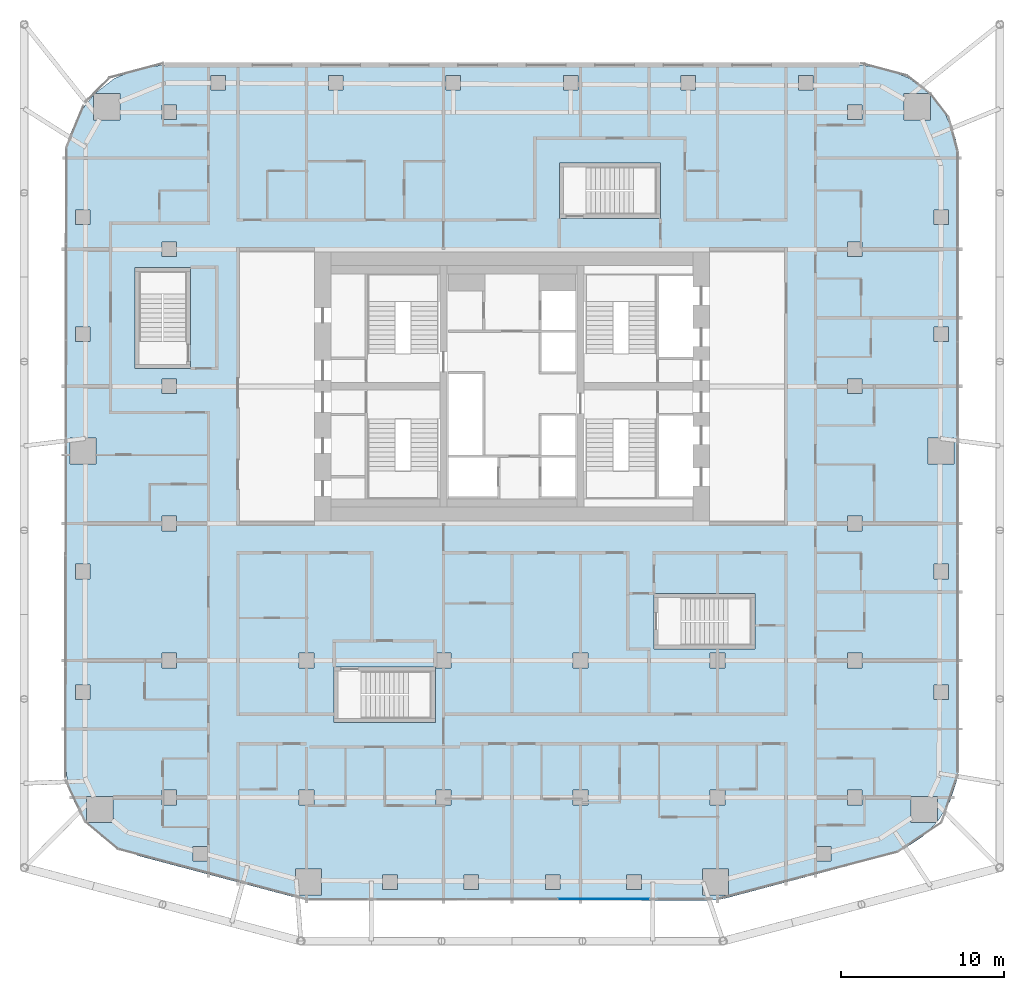
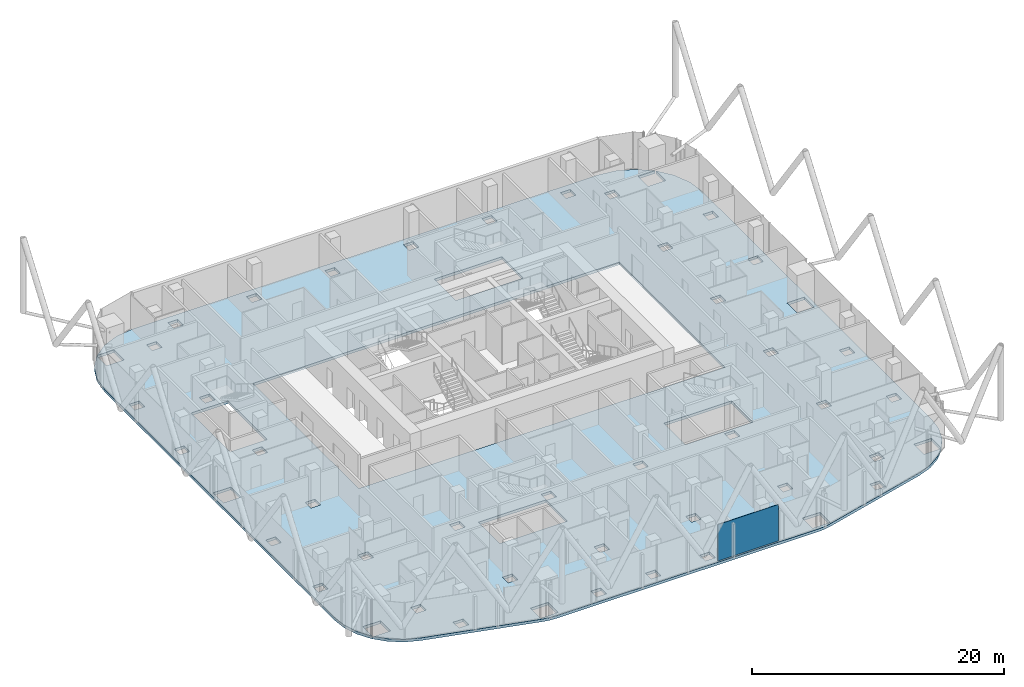
# One storey, part 21 of 36: 1 plate, 1 slab, 1 element without a shape of its own.
"""IFC4 building model written with IfcOpenShell, lengths in metres."""

from ifc_helpers import new_model, si_unit, direction, frame, origin, origin_2d, place, context, subcontext, project, spatial, polyline, rectangle, outline, extrude, material, layer, layer_set, type_object, element, aggregate, save


model = new_model("IFC4")

# Units and contexts
model_context = context("Model", 3, precision=1e-05, world=origin(), true_north=direction((0.0, 1.0)))
body_context = subcontext(model_context, "Body", "Model", "MODEL_VIEW")
ifc_project = project(units=[si_unit("LENGTHUNIT", "METRE"), si_unit("AREAUNIT", "SQUARE_METRE"), si_unit("VOLUMEUNIT", "CUBIC_METRE"), si_unit("PLANEANGLEUNIT", "RADIAN"), si_unit("MASSUNIT", "GRAM", prefix="KILO")], contexts=[model_context])

# Site, building, storey
site_placement = place(None, origin())
site = spatial("IfcSite", under=ifc_project, at=site_placement, CompositionType="ELEMENT")
building_placement = place(site_placement, origin())
building = spatial("IfcBuilding", under=site, at=building_placement, Name="Marenta Gate Hotel Tower", CompositionType="ELEMENT")
storey_placement = place(building_placement, frame((0.0, 0.0, 130.10009765625)))
storey = spatial("IfcBuildingStorey", under=building, at=storey_placement, Name="L29", CompositionType="ELEMENT", Elevation=130.10009765625)

# Slab
ifc_material_1 = material(Name="Concrete C35", Category="concrete")
ifc_layer_1 = layer(ifc_material_1, 0.260009765625)
ifc_layer_set_1 = layer_set([ifc_layer_1], Name="Concrete C35")
slab_type = type_object("IfcSlabType", Name="Concrete floor slab 260", PredefinedType="FLOOR", material=ifc_layer_set_1)
slab_placement = place(storey_placement, frame((0.0, 0.0, -0.260009765625)))
element("IfcSlab", 1, at=slab_placement, inside=storey, type_object=slab_type, Name="L29-SL-1", PredefinedType="FLOOR", context=body_context, shape_type="SweptSolid", body=[
    extrude(outline(polyline([(-25.213623046875, -19.1640625), (-26.011474609375, -18.3330078125), (-24.462890625, -18.3330078125), (-24.462890625, -16.73291015625), (-26.06298828125, -16.73291015625), (-26.06298828125, -18.279296875), (-26.13525390625, -18.2041015625), (-26.826904296875, -17.06689453125), (-27.25537109375, -15.80712890625), (-27.39990234375, -14.48974609375), (-27.39990234375, 22.006591796875), (-27.193115234375, 23.5791015625), (-26.58349609375, 25.050537109375), (-25.635498046875, 26.285888671875), (-25.635498046875, 24.735595703125), (-24.035400390625, 24.735595703125), (-24.035400390625, 26.33544921875), (-25.585693359375, 26.33544921875), (-24.350341796875, 27.283447265625), (-22.87890625, 27.89306640625), (-21.306640625, 28.10009765625), (21.306640625, 28.10009765625), (22.87890625, 27.89306640625), (24.350341796875, 27.283447265625), (25.585693359375, 26.33544921875), (24.035400390625, 26.33544921875), (24.035400390625, 24.735595703125), (25.635498046875, 24.735595703125), (25.635498046875, 26.285888671875), (26.58349609375, 25.050537109375), (27.193115234375, 23.5791015625), (27.39990234375, 22.006591796875), (27.39990234375, -14.48974609375), (27.25537109375, -15.80712890625), (26.826904296875, -17.06689453125), (26.13525390625, -18.2041015625), (26.06298828125, -18.279296875), (26.06298828125, -16.73291015625), (24.462890625, -16.73291015625), (24.462890625, -18.3330078125), (26.011474609375, -18.3330078125), (25.213623046875, -19.1640625), (24.105712890625, -19.9013671875), (22.86962890625, -20.37890625), (13.126708984375, -22.963623046875), (12.608642578125, -23.065673828125), (12.08154296875, -23.10009765625), (-12.08154296875, -23.10009765625), (-12.608642578125, -23.065673828125), (-13.126708984375, -22.963623046875), (-22.86962890625, -20.37890625), (-24.105712890625, -19.9013671875), (-25.213623046875, -19.1640625)]), holes=[polyline([(-16.800048828125, 0.0), (16.800048828125, 0.0), (16.800048828125, 16.800048828125), (-16.800048828125, 16.800048828125), (-16.800048828125, 0.0)]), polyline([(-18.65673828125, -19.7890625), (-19.556884765625, -19.7890625), (-19.556884765625, -20.689208984375), (-18.65673828125, -20.689208984375), (-18.65673828125, -19.7890625)]), polyline([(-20.550048828125, -17.25), (-20.550048828125, -16.35009765625), (-21.449951171875, -16.35009765625), (-21.449951171875, -17.25), (-20.550048828125, -17.25)]), polyline([(-12.14990234375, -16.35009765625), (-13.050048828125, -16.35009765625), (-13.050048828125, -17.25), (-12.14990234375, -17.25), (-12.14990234375, -16.35009765625)]), polyline([(-25.85009765625, -10.802001953125), (-25.85009765625, -9.90185546875), (-26.75, -9.90185546875), (-26.75, -10.802001953125), (-25.85009765625, -10.802001953125)]), polyline([(-20.550048828125, -8.85009765625), (-20.550048828125, -7.949951171875), (-21.449951171875, -7.949951171875), (-21.449951171875, -8.85009765625), (-20.550048828125, -8.85009765625)]), polyline([(-25.85009765625, -2.5009765625), (-26.75, -2.5009765625), (-26.75, -3.40087890625), (-25.85009765625, -3.40087890625), (-25.85009765625, -2.5009765625)]), polyline([(-20.550048828125, -0.449951171875), (-20.550048828125, 0.449951171875), (-21.449951171875, 0.449951171875), (-21.449951171875, -0.449951171875), (-20.550048828125, -0.449951171875)]), polyline([(-25.5, 3.64990234375), (-25.5, 5.25), (-27.10009765625, 5.25), (-27.10009765625, 3.64990234375), (-25.5, 3.64990234375)]), polyline([(-20.550048828125, 8.85009765625), (-21.449951171875, 8.85009765625), (-21.449951171875, 7.949951171875), (-20.550048828125, 7.949951171875), (-20.550048828125, 8.85009765625)]), polyline([(-25.85009765625, 11.1533203125), (-25.85009765625, 12.05322265625), (-26.75, 12.05322265625), (-26.75, 11.1533203125), (-25.85009765625, 11.1533203125)]), polyline([(-20.550048828125, 16.35009765625), (-20.550048828125, 17.25), (-21.449951171875, 17.25), (-21.449951171875, 16.35009765625), (-20.550048828125, 16.35009765625)]), polyline([(-25.85009765625, 19.206298828125), (-26.75, 19.206298828125), (-26.75, 18.306396484375), (-25.85009765625, 18.306396484375), (-25.85009765625, 19.206298828125)]), polyline([(-20.550048828125, 24.75), (-20.550048828125, 25.64990234375), (-21.449951171875, 25.64990234375), (-21.449951171875, 24.75), (-20.550048828125, 24.75)]), polyline([(-17.556884765625, 27.449951171875), (-18.456787109375, 27.449951171875), (-18.456787109375, 26.550048828125), (-17.556884765625, 26.550048828125), (-17.556884765625, 27.449951171875)]), polyline([(-7.030029296875, -22.449951171875), (-7.030029296875, -21.550048828125), (-7.93017578125, -21.550048828125), (-7.93017578125, -22.449951171875), (-7.030029296875, -22.449951171875)]), polyline([(-2.04345703125, -22.449951171875), (-2.04345703125, -21.550048828125), (-2.943359375, -21.550048828125), (-2.943359375, -22.449951171875), (-2.04345703125, -22.449951171875)]), polyline([(2.943359375, -21.550048828125), (2.04345703125, -21.550048828125), (2.04345703125, -22.449951171875), (2.943359375, -22.449951171875), (2.943359375, -21.550048828125)]), polyline([(7.93017578125, -22.449951171875), (7.93017578125, -21.550048828125), (7.030029296875, -21.550048828125), (7.030029296875, -22.449951171875), (7.93017578125, -22.449951171875)]), polyline([(-11.666259765625, -22.77490234375), (-11.666259765625, -21.1748046875), (-13.266357421875, -21.1748046875), (-13.266357421875, -22.77490234375), (-11.666259765625, -22.77490234375)]), polyline([(13.266357421875, -21.1748046875), (11.666259765625, -21.1748046875), (11.666259765625, -22.77490234375), (13.266357421875, -22.77490234375), (13.266357421875, -21.1748046875)]), polyline([(-3.75, -17.25), (-3.75, -16.35009765625), (-4.64990234375, -16.35009765625), (-4.64990234375, -17.25), (-3.75, -17.25)]), polyline([(4.64990234375, -17.25), (4.64990234375, -16.35009765625), (3.75, -16.35009765625), (3.75, -17.25), (4.64990234375, -17.25)]), polyline([(13.050048828125, -16.35009765625), (12.14990234375, -16.35009765625), (12.14990234375, -17.25), (13.050048828125, -17.25), (13.050048828125, -16.35009765625)]), polyline([(-12.14990234375, -8.85009765625), (-12.14990234375, -7.949951171875), (-13.050048828125, -7.949951171875), (-13.050048828125, -8.85009765625), (-12.14990234375, -8.85009765625)]), polyline([(-3.75, -8.85009765625), (-3.75, -7.949951171875), (-4.64990234375, -7.949951171875), (-4.64990234375, -8.85009765625), (-3.75, -8.85009765625)]), polyline([(4.64990234375, -7.949951171875), (3.75, -7.949951171875), (3.75, -8.85009765625), (4.64990234375, -8.85009765625), (4.64990234375, -7.949951171875)]), polyline([(-10.35400390625, 26.550048828125), (-10.35400390625, 27.449951171875), (-11.254150390625, 27.449951171875), (-11.254150390625, 26.550048828125), (-10.35400390625, 26.550048828125)]), polyline([(-3.1513671875, 26.550048828125), (-3.1513671875, 27.449951171875), (-4.051513671875, 27.449951171875), (-4.051513671875, 26.550048828125), (-3.1513671875, 26.550048828125)]), polyline([(4.051513671875, 27.449951171875), (3.1513671875, 27.449951171875), (3.1513671875, 26.550048828125), (4.051513671875, 26.550048828125), (4.051513671875, 27.449951171875)]), polyline([(11.254150390625, 26.550048828125), (11.254150390625, 27.449951171875), (10.35400390625, 27.449951171875), (10.35400390625, 26.550048828125), (11.254150390625, 26.550048828125)]), polyline([(19.556884765625, -20.689208984375), (19.556884765625, -19.7890625), (18.65673828125, -19.7890625), (18.65673828125, -20.689208984375), (19.556884765625, -20.689208984375)]), polyline([(21.449951171875, -17.25), (21.449951171875, -16.35009765625), (20.550048828125, -16.35009765625), (20.550048828125, -17.25), (21.449951171875, -17.25)]), polyline([(26.75, -10.802001953125), (26.75, -9.90185546875), (25.85009765625, -9.90185546875), (25.85009765625, -10.802001953125), (26.75, -10.802001953125)]), polyline([(13.050048828125, -7.949951171875), (12.14990234375, -7.949951171875), (12.14990234375, -8.85009765625), (13.050048828125, -8.85009765625), (13.050048828125, -7.949951171875)]), polyline([(21.449951171875, -8.85009765625), (21.449951171875, -7.949951171875), (20.550048828125, -7.949951171875), (20.550048828125, -8.85009765625), (21.449951171875, -8.85009765625)]), polyline([(26.75, -3.40087890625), (26.75, -2.5009765625), (25.85009765625, -2.5009765625), (25.85009765625, -3.40087890625), (26.75, -3.40087890625)]), polyline([(21.449951171875, 0.449951171875), (20.550048828125, 0.449951171875), (20.550048828125, -0.449951171875), (21.449951171875, -0.449951171875), (21.449951171875, 0.449951171875)]), polyline([(27.10009765625, 3.64990234375), (27.10009765625, 5.25), (25.5, 5.25), (25.5, 3.64990234375), (27.10009765625, 3.64990234375)]), polyline([(21.449951171875, 7.949951171875), (21.449951171875, 8.85009765625), (20.550048828125, 8.85009765625), (20.550048828125, 7.949951171875), (21.449951171875, 7.949951171875)]), polyline([(26.75, 12.05322265625), (25.85009765625, 12.05322265625), (25.85009765625, 11.1533203125), (26.75, 11.1533203125), (26.75, 12.05322265625)]), polyline([(21.449951171875, 16.35009765625), (21.449951171875, 17.25), (20.550048828125, 17.25), (20.550048828125, 16.35009765625), (21.449951171875, 16.35009765625)]), polyline([(26.75, 18.306396484375), (26.75, 19.206298828125), (25.85009765625, 19.206298828125), (25.85009765625, 18.306396484375), (26.75, 18.306396484375)]), polyline([(21.449951171875, 25.64990234375), (20.550048828125, 25.64990234375), (20.550048828125, 24.75), (21.449951171875, 24.75), (21.449951171875, 25.64990234375)]), polyline([(18.456787109375, 26.550048828125), (18.456787109375, 27.449951171875), (17.556884765625, 27.449951171875), (17.556884765625, 26.550048828125), (18.456787109375, 26.550048828125)]), polyline([(-10.89990234375, -12.199951171875), (-4.699951171875, -12.199951171875), (-4.699951171875, -8.800048828125), (-10.89990234375, -8.800048828125), (-10.89990234375, -12.199951171875)]), polyline([(8.699951171875, -7.699951171875), (14.89990234375, -7.699951171875), (14.89990234375, -4.300048828125), (8.699951171875, -4.300048828125), (8.699951171875, -7.699951171875)]), polyline([(-23.10009765625, 9.5), (-19.699951171875, 9.5), (-19.699951171875, 15.699951171875), (-23.10009765625, 15.699951171875), (-23.10009765625, 9.5)]), polyline([(2.89990234375, 18.699951171875), (9.10009765625, 18.699951171875), (9.10009765625, 22.10009765625), (2.89990234375, 22.10009765625), (2.89990234375, 18.699951171875)])]), origin(), (0.0, 0.0, 1.0), 0.260009765625),
])

# Curtain wall, plate
ifc_material_2 = material(Name="Tinted insulated glass in bronze anodised frame", Category="glass")
ifc_layer_2 = layer(ifc_material_2, 0.1201171875)
ifc_layer_set_2 = layer_set([ifc_layer_2], Name="Tinted insulated glass in bronze anodised frame")
curtain_wall_type = type_object("IfcCurtainWallType", Name="Tower unitised curtain wall CW1", PredefinedType="NOTDEFINED", material=ifc_layer_set_2)
curtain_wall_placement = place(storey_placement, origin())
curtain_wall = element("IfcCurtainWall", 2, at=curtain_wall_placement, inside=storey, type_object=curtain_wall_type, Name="CW1 run G21", PredefinedType="NOTDEFINED")
ifc_material_3 = material(Name="Tinted insulated glass", Category="glass")
ifc_layer_3 = layer(ifc_material_3, 0.028076171875)
ifc_layer_set_3 = layer_set([ifc_layer_3], Name="Tinted insulated glass")
plate_type = type_object("IfcPlateType", Name="Glass panel CW1 28 mm tinted insulated unit", PredefinedType="CURTAIN_PANEL", material=ifc_layer_set_3)
plate_placement = place(storey_placement, frame((5.622802734375, -23.022705078125, 0.059814453125), z_axis=(0.0, 0.0, 1.0), x_axis=(0.999999070887, 0.001363166999, 0.0)))
plate = element("IfcPlate", 3, at=plate_placement, type_object=plate_type, Name="CW1 panel 3.1", PredefinedType="CURTAIN_PANEL", context=body_context, shape_type="SweptSolid", body=[
    extrude(rectangle(XDim=5.569580078125, YDim=0.028076171875, at=origin_2d()), origin(), (0.0, 0.0, 1.0), 3.5400390625),
])
aggregate(curtain_wall, [plate])

save(model, "model.ifc")
